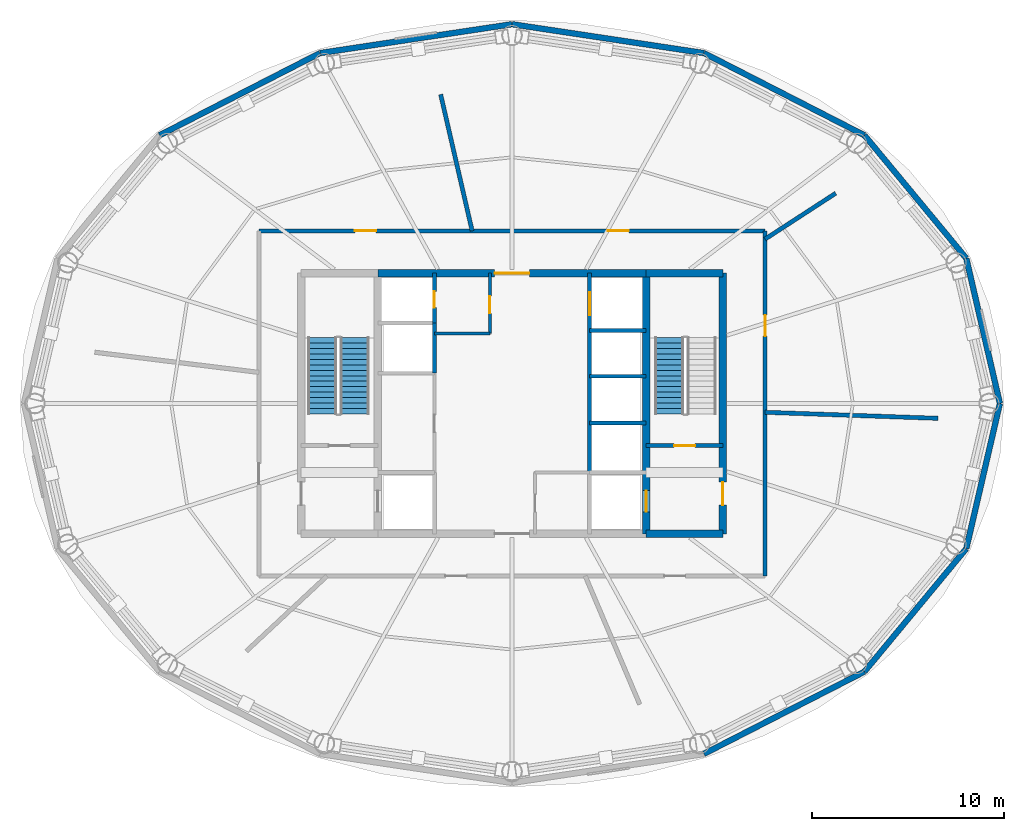
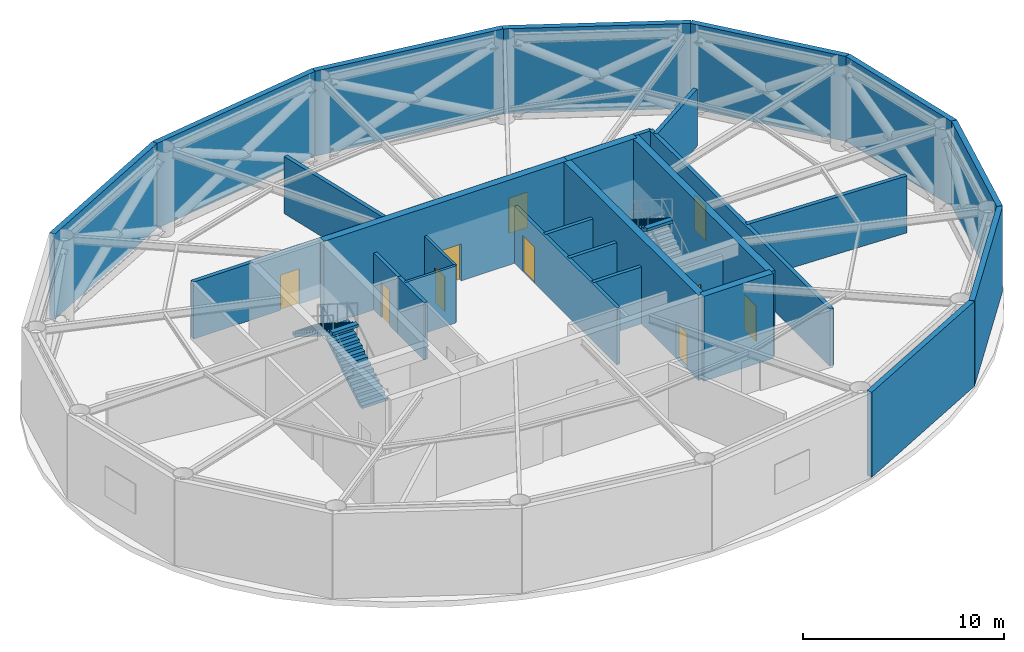
# One storey, part 5 of 7: 28 walls, 10 doors, 3 stair flights, 10 openings, 2 elements without a shape of their own.
"""IFC4 building model written with IfcOpenShell, lengths in metres."""

from ifc_helpers import new_model, si_unit, direction, frame, frame_2d, origin, place, context, subcontext, project, spatial, polyline, rectangle, outline, extrude, material, layer, layer_set, type_object, element, fill, aggregate, save


model = new_model("IFC4")

# Units and contexts
model_context = context("Model", 3, precision=1e-05, world=origin(), true_north=direction((0.0, 1.0)))
body_context = subcontext(model_context, "Body", "Model", "MODEL_VIEW")
ifc_project = project(units=[si_unit("LENGTHUNIT", "METRE"), si_unit("AREAUNIT", "SQUARE_METRE"), si_unit("VOLUMEUNIT", "CUBIC_METRE"), si_unit("PLANEANGLEUNIT", "RADIAN"), si_unit("MASSUNIT", "GRAM", prefix="KILO")], contexts=[model_context])

# Site, building, storey
site_placement = place(None, origin())
site = spatial("IfcSite", under=ifc_project, at=site_placement, CompositionType="ELEMENT")
building_placement = place(site_placement, origin())
building = spatial("IfcBuilding", under=site, at=building_placement, Name="Sarneth Arch Tower", CompositionType="ELEMENT")
storey_placement = place(building_placement, frame((0.0, 0.0, 256.800048828125)))
storey = spatial("IfcBuildingStorey", under=building, at=storey_placement, Name="L66", CompositionType="ELEMENT", Elevation=256.800048828125)

# Wall
ifc_material_1 = material(Name="Concrete C50/60", Category="concrete")
ifc_layer_1 = layer(ifc_material_1, 0.39990234375)
ifc_layer_set_1 = layer_set([ifc_layer_1], Name="Concrete C50/60")
wall_type_1 = type_object("IfcWallType", Name="WALL-CORE-400", PredefinedType="SHEAR", material=ifc_layer_set_1)
wall_1_placement = place(storey_placement, frame((55.0, 35.199951171875, 0.0), z_axis=(0.0, 0.0, 1.0), x_axis=(1.0, 0.0, 0.0)))
element("IfcWall", 1, at=wall_1_placement, inside=storey, type_object=wall_type_1, Name="L66 Core shear wall S-E", PredefinedType="SHEAR", context=body_context, shape_type="SweptSolid", body=[
    extrude(rectangle(XDim=4.0, YDim=0.39990234375, at=frame_2d((2.0, 0.0))), origin(), (0.0, 0.0, 1.0), 5.169921875),
])

# Wall, opening, door
wall_2_placement = place(storey_placement, frame((41.0, 48.800048828125, 0.0), z_axis=(0.0, 0.0, 1.0), x_axis=(1.0, 0.0, 0.0)))
wall_2 = element("IfcWall", 2, at=wall_2_placement, inside=storey, type_object=wall_type_1, Name="L66 Core shear wall N-M", PredefinedType="SHEAR", context=body_context, shape_type="SweptSolid", body=[
    extrude(rectangle(XDim=14.0, YDim=0.39990234375, at=frame_2d((7.0, 0.0))), origin(), (0.0, 0.0, 1.0), 5.169921875),
])
opening_1_placement = place(wall_2_placement, frame((6.10009765625, 0.0, 0.0)))
opening_1 = element("IfcOpeningElement", 3, at=opening_1_placement, cuts=wall_2, Name="Opening FD-01", PredefinedType="OPENING", context=body_context, shape_type="SweptSolid", body=[
    extrude(rectangle(XDim=1.800048828125, YDim=2.25, at=frame_2d((0.89990234375, 1.125))), frame((0.0, 0.2099609375, 0.0), z_axis=(0.0, -1.0, 0.0), x_axis=(1.0, 0.0, 0.0)), (0.0, 0.0, 1.0), 0.419921875),
])
ifc_material_2 = material(Name="Galvanised Steel S275 fire door set", Category="steel")
door_type_1 = type_object("IfcDoorType", Name="DR-FD90-1800", OperationType="DOUBLE_DOOR_SINGLE_SWING", PredefinedType="DOOR", material=ifc_material_2)
door_1_placement = place(opening_1_placement, origin())
door_1 = element("IfcDoor", 4, at=door_1_placement, inside=storey, type_object=door_type_1, Name="L66 Central lift lobby north door", OperationType="DOUBLE_DOOR_SINGLE_SWING", OverallHeight=2.25, OverallWidth=1.800048828125, PredefinedType="DOOR", context=body_context, shape_type="SweptSolid", body=[
    extrude(rectangle(XDim=1.800048828125, YDim=2.25, at=frame_2d((0.89990234375, 1.125))), frame((0.0, 0.02490234375, 0.0), z_axis=(0.0, -1.0, 0.0), x_axis=(1.0, 0.0, 0.0)), (0.0, 0.0, 1.0), 0.050048828125),
])
fill(opening_1, door_1)

# Wall
wall_3_placement = place(storey_placement, frame((55.0, 48.800048828125, 0.0), z_axis=(0.0, 0.0, 1.0), x_axis=(1.0, 0.0, 0.0)))
element("IfcWall", 5, at=wall_3_placement, inside=storey, type_object=wall_type_1, Name="L66 Core shear wall N-E", PredefinedType="SHEAR", context=body_context, shape_type="SweptSolid", body=[
    extrude(rectangle(XDim=4.0, YDim=0.39990234375, at=frame_2d((2.0, 0.0))), origin(), (0.0, 0.0, 1.0), 5.169921875),
])

# Wall, opening, door
wall_4_placement = place(storey_placement, frame((59.0, 35.199951171875, 0.0), z_axis=(0.0, 0.0, 1.0), x_axis=(0.0, 1.0, 0.0)))
wall_4 = element("IfcWall", 6, at=wall_4_placement, inside=storey, type_object=wall_type_1, Name="L66 Core shear wall E", PredefinedType="SHEAR", context=body_context, shape_type="SweptSolid", body=[
    extrude(rectangle(XDim=13.60009765625, YDim=0.39990234375, at=frame_2d((6.800048828125, 0.0))), origin(), (0.0, 0.0, 1.0), 5.169921875),
])
opening_2_placement = place(wall_4_placement, frame((1.5, 0.0, 0.0)))
opening_2 = element("IfcOpeningElement", 7, at=opening_2_placement, cuts=wall_4, Name="Opening FD-02", PredefinedType="OPENING", context=body_context, shape_type="SweptSolid", body=[
    extrude(rectangle(XDim=1.199951171875, YDim=2.14990234375, at=frame_2d((0.60009765625, 1.074951171875))), frame((0.0, 0.2099609375, 0.0), z_axis=(0.0, -1.0, 0.0), x_axis=(1.0, 0.0, 0.0)), (0.0, 0.0, 1.0), 0.419921875),
])
ifc_material_3 = material(Name="Galvanised Steel S275 fire door set", Category="steel")
door_type_2 = type_object("IfcDoorType", Name="DR-FD90-1200", OperationType="SINGLE_SWING_LEFT", PredefinedType="DOOR", material=ifc_material_3)
door_2_placement = place(opening_2_placement, origin())
door_2 = element("IfcDoor", 8, at=door_2_placement, inside=storey, type_object=door_type_2, Name="L66 Firefighting lobby 2 exit door", OperationType="SINGLE_SWING_RIGHT", OverallHeight=2.14990234375, OverallWidth=1.199951171875, PredefinedType="DOOR", context=body_context, shape_type="SweptSolid", body=[
    extrude(rectangle(XDim=1.199951171875, YDim=2.14990234375, at=frame_2d((0.60009765625, 1.074951171875))), frame((0.0, 0.02490234375, 0.0), z_axis=(0.0, -1.0, 0.0), x_axis=(1.0, 0.0, 0.0)), (0.0, 0.0, 1.0), 0.050048828125),
])
fill(opening_2, door_2)

wall_5_placement = place(storey_placement, frame((55.0, 35.199951171875, 0.0), z_axis=(0.0, 0.0, 1.0), x_axis=(0.0, 1.0, 0.0)))
wall_5 = element("IfcWall", 9, at=wall_5_placement, inside=storey, type_object=wall_type_1, Name="L66 Core shear wall WEB-E", PredefinedType="SHEAR", context=body_context, shape_type="SweptSolid", body=[
    extrude(rectangle(XDim=13.60009765625, YDim=0.39990234375, at=frame_2d((6.800048828125, 0.0))), origin(), (0.0, 0.0, 1.0), 5.169921875),
])
opening_3_placement = place(wall_5_placement, frame((1.14990234375, 0.0, 0.0)))
opening_3 = element("IfcOpeningElement", 10, at=opening_3_placement, cuts=wall_5, Name="Opening LD-1", PredefinedType="OPENING", context=body_context, shape_type="SweptSolid", body=[
    extrude(rectangle(XDim=1.10009765625, YDim=2.199951171875, at=frame_2d((0.550048828125, 1.10009765625))), frame((0.0, 0.2099609375, 0.0), z_axis=(0.0, -1.0, 0.0), x_axis=(1.0, 0.0, 0.0)), (0.0, 0.0, 1.0), 0.419921875),
])
ifc_material_4 = material(Name="Brushed Stainless Steel 304 lift landing door", Category="steel")
door_type_3 = type_object("IfcDoorType", Name="DR-LIFT-SLIDE-1100", OperationType="SLIDING_TO_LEFT", PredefinedType="DOOR", material=ifc_material_4)
door_3_placement = place(opening_3_placement, origin())
door_3 = element("IfcDoor", 11, at=door_3_placement, inside=storey, type_object=door_type_3, Name="L66 Firefighting lift landing door FL-2", OperationType="SLIDING_TO_RIGHT", OverallHeight=2.199951171875, OverallWidth=1.10009765625, PredefinedType="DOOR", context=body_context, shape_type="SweptSolid", body=[
    extrude(rectangle(XDim=1.10009765625, YDim=2.199951171875, at=frame_2d((0.550048828125, 1.10009765625))), frame((0.0, 0.02490234375, 0.0), z_axis=(0.0, -1.0, 0.0), x_axis=(1.0, 0.0, 0.0)), (0.0, 0.0, 1.0), 0.050048828125),
])
fill(opening_3, door_3)

# Walls
ifc_material_5 = material(Name="Extruded terracotta rainscreen on Concrete C40/50 backing", Category="masonry")
ifc_layer_2 = layer(ifc_material_5, 0.300048828125)
ifc_layer_set_2 = layer_set([ifc_layer_2], Name="Extruded terracotta rainscreen on Concrete C40/50 backing")
wall_type_2 = type_object("IfcWallType", Name="WALL-EXT-ACOUST-300", PredefinedType="SOLIDWALL", material=ifc_layer_set_2)
wall_6_placement = place(storey_placement, frame((73.447021484375, 42.0, 0.0), z_axis=(0.0, 0.0, 1.0), x_axis=(-0.225635078214, 0.974211892495, 0.0)))
element("IfcWall", 12, at=wall_6_placement, inside=storey, type_object=wall_type_2, Name="L66 Terracotta perimeter wall 01", PredefinedType="SOLIDWALL", context=body_context, shape_type="SweptSolid", body=[
    extrude(rectangle(XDim=7.77001953125, YDim=0.300048828125, at=frame_2d((3.885009765625, 0.0))), origin(), (0.0, 0.0, 1.0), 5.169921875),
])
wall_7_placement = place(storey_placement, frame((71.69384765625, 49.569580078125, 0.0), z_axis=(0.0, 0.0, 1.0), x_axis=(-0.63761509934, 0.770355103243, 0.0)))
element("IfcWall", 13, at=wall_7_placement, inside=storey, type_object=wall_type_2, Name="L66 Terracotta perimeter wall 02", PredefinedType="SOLIDWALL", context=body_context, shape_type="SweptSolid", body=[
    extrude(rectangle(XDim=8.329833984375, YDim=0.300048828125, at=frame_2d((4.1650390625, 0.0))), origin(), (0.0, 0.0, 1.0), 5.169921875),
])
wall_8_placement = place(storey_placement, frame((66.382568359375, 55.986572265625, 0.0), z_axis=(0.0, 0.0, 1.0), x_axis=(-0.890007394051, 0.455946091699, 0.0)))
element("IfcWall", 14, at=wall_8_placement, inside=storey, type_object=wall_type_2, Name="L66 Terracotta perimeter wall 03", PredefinedType="SOLIDWALL", context=body_context, shape_type="SweptSolid", body=[
    extrude(rectangle(XDim=9.404296875, YDim=0.300048828125, at=frame_2d((4.7021484375, 0.0))), origin(), (0.0, 0.0, 1.0), 5.169921875),
])
for number, where, z_axis, x_axis, name in (
    (15, (58.0126953125, 60.2744140625, 0.0), (0.0, 0.0, 1.0), (-0.988882522213, 0.148698881169, 0.0), "L66 Terracotta perimeter wall 04"),
    (16, (48.0, 61.780029296875, 0.0), (0.0, 0.0, 1.0), (-0.988882522213, -0.148698881169, 0.0), "L66 Terracotta perimeter wall 05"),
):
    element("IfcWall", number, at=place(storey_placement, frame(where, z_axis=z_axis, x_axis=x_axis)), inside=storey, type_object=wall_type_2, Name=name, PredefinedType="SOLIDWALL", context=body_context, shape_type="SweptSolid", body=[
        extrude(rectangle(XDim=10.125244140625, YDim=0.300048828125, at=frame_2d((5.0625, 0.0))), origin(), (0.0, 0.0, 1.0), 5.169921875),
    ])
for number, where, z_axis, x_axis, name in (
    (17, (37.9873046875, 60.2744140625, 0.0), (0.0, 0.0, 1.0), (-0.890007394051, -0.455946091699, 0.0), "L66 Terracotta perimeter wall 06"),
    (18, (58.0126953125, 23.7255859375, 0.0), (0.0, 0.0, 1.0), (0.890007394051, 0.455946091699, 0.0), "L66 Terracotta perimeter wall 14"),
):
    element("IfcWall", number, at=place(storey_placement, frame(where, z_axis=z_axis, x_axis=x_axis)), inside=storey, type_object=wall_type_2, Name=name, PredefinedType="SOLIDWALL", context=body_context, shape_type="SweptSolid", body=[
        extrude(rectangle(XDim=9.404296875, YDim=0.300048828125, at=frame_2d((4.7021484375, 0.0))), origin(), (0.0, 0.0, 1.0), 5.169921875),
    ])
wall_9_placement = place(storey_placement, frame((66.382568359375, 28.013427734375, 0.0), z_axis=(0.0, 0.0, 1.0), x_axis=(0.63761509934, 0.770355103243, 0.0)))
element("IfcWall", 19, at=wall_9_placement, inside=storey, type_object=wall_type_2, Name="L66 Terracotta perimeter wall 15", PredefinedType="SOLIDWALL", context=body_context, shape_type="SweptSolid", body=[
    extrude(rectangle(XDim=8.329833984375, YDim=0.300048828125, at=frame_2d((4.1650390625, 0.0))), origin(), (0.0, 0.0, 1.0), 5.169921875),
])
wall_10_placement = place(storey_placement, frame((71.69384765625, 34.430419921875, 0.0), z_axis=(0.0, 0.0, 1.0), x_axis=(0.225635078214, 0.974211892495, 0.0)))
element("IfcWall", 20, at=wall_10_placement, inside=storey, type_object=wall_type_2, Name="L66 Terracotta perimeter wall 16", PredefinedType="SOLIDWALL", context=body_context, shape_type="SweptSolid", body=[
    extrude(rectangle(XDim=7.77001953125, YDim=0.300048828125, at=frame_2d((3.885009765625, 0.0))), origin(), (0.0, 0.0, 1.0), 5.169921875),
])

# Wall, openings, doors
ifc_material_6 = material(Name="Aerated concrete blockwork C25/30", Category="masonry")
ifc_layer_3 = layer(ifc_material_6, 0.219970703125)
ifc_layer_set_3 = layer_set([ifc_layer_3], Name="Aerated concrete blockwork C25/30")
wall_type_3 = type_object("IfcWallType", Name="WALL-FIRE-220", PredefinedType="SOLIDWALL", material=ifc_layer_set_3)
wall_11_placement = place(storey_placement, frame((34.800048828125, 51.0, 0.0), z_axis=(0.0, 0.0, 1.0), x_axis=(1.0, 0.0, 0.0)))
wall_11 = element("IfcWall", 21, at=wall_11_placement, inside=storey, type_object=wall_type_3, Name="L66 Interior partition W-L66-TP-001", PredefinedType="SOLIDWALL", context=body_context, shape_type="SweptSolid", body=[
    extrude(rectangle(XDim=26.39990234375, YDim=0.219970703125, at=frame_2d((13.199951171875, 0.0))), origin(), (0.0, 0.0, 1.0), 3.469970703125),
])
opening_4_placement = place(wall_11_placement, frame((18.194580078125, 0.0, 0.0)))
opening_4 = element("IfcOpeningElement", 22, at=opening_4_placement, cuts=wall_11, Name="Opening FD-03", PredefinedType="OPENING", context=body_context, shape_type="SweptSolid", body=[
    extrude(rectangle(XDim=1.10009765625, YDim=2.14990234375, at=frame_2d((0.550048828125, 1.074951171875))), frame((0.0, 0.119873046875, 0.0), z_axis=(0.0, -1.0, 0.0), x_axis=(1.0, 0.0, 0.0)), (0.0, 0.0, 1.0), 0.239990234375),
])
opening_5_placement = place(wall_11_placement, frame((5.010986328125, 0.0, 0.0)))
opening_5 = element("IfcOpeningElement", 23, at=opening_5_placement, cuts=wall_11, Name="Opening FD-03", PredefinedType="OPENING", context=body_context, shape_type="SweptSolid", body=[
    extrude(rectangle(XDim=1.10009765625, YDim=2.14990234375, at=frame_2d((0.550048828125, 1.074951171875))), frame((0.0, 0.119873046875, 0.0), z_axis=(0.0, -1.0, 0.0), x_axis=(1.0, 0.0, 0.0)), (0.0, 0.0, 1.0), 0.239990234375),
])
ifc_material_7 = material(Name="Galvanised Steel S275 fire door set", Category="steel")
door_type_4 = type_object("IfcDoorType", Name="DR-FD90-1100", OperationType="SINGLE_SWING_LEFT", PredefinedType="DOOR", material=ifc_material_7)
door_4_placement = place(opening_4_placement, origin())
door_4 = element("IfcDoor", 24, at=door_4_placement, inside=storey, type_object=door_type_4, Name="L66 Interior door DR-L66-PSEC-1", OperationType="SINGLE_SWING_LEFT", OverallHeight=2.14990234375, OverallWidth=1.10009765625, PredefinedType="DOOR", context=body_context, shape_type="SweptSolid", body=[
    extrude(rectangle(XDim=1.10009765625, YDim=2.14990234375, at=frame_2d((0.550048828125, 1.074951171875))), frame((0.0, 0.02490234375, 0.0), z_axis=(0.0, -1.0, 0.0), x_axis=(1.0, 0.0, 0.0)), (0.0, 0.0, 1.0), 0.050048828125),
])
fill(opening_4, door_4)
door_5_placement = place(opening_5_placement, origin())
door_5 = element("IfcDoor", 25, at=door_5_placement, inside=storey, type_object=door_type_4, Name="L66 Interior door DR-L66-PSEC-2", OperationType="SINGLE_SWING_LEFT", OverallHeight=2.14990234375, OverallWidth=1.10009765625, PredefinedType="DOOR", context=body_context, shape_type="SweptSolid", body=[
    extrude(rectangle(XDim=1.10009765625, YDim=2.14990234375, at=frame_2d((0.550048828125, 1.074951171875))), frame((0.0, 0.02490234375, 0.0), z_axis=(0.0, -1.0, 0.0), x_axis=(1.0, 0.0, 0.0)), (0.0, 0.0, 1.0), 0.050048828125),
])
fill(opening_5, door_5)

# Wall, opening, door
wall_12_placement = place(storey_placement, frame((61.199951171875, 51.0, 0.0), z_axis=(0.0, 0.0, 1.0), x_axis=(0.0, -1.0, 0.0)))
wall_12 = element("IfcWall", 26, at=wall_12_placement, inside=storey, type_object=wall_type_3, Name="L66 Interior partition W-L66-TP-010", PredefinedType="SOLIDWALL", context=body_context, shape_type="SweptSolid", body=[
    extrude(rectangle(XDim=18.0, YDim=0.219970703125, at=frame_2d((9.0, 0.0))), origin(), (0.0, 0.0, 1.0), 3.469970703125),
])
opening_6_placement = place(wall_12_placement, frame((4.39111328125, 0.0, 0.0)))
opening_6 = element("IfcOpeningElement", 27, at=opening_6_placement, cuts=wall_12, Name="Opening FD-03", PredefinedType="OPENING", context=body_context, shape_type="SweptSolid", body=[
    extrude(rectangle(XDim=1.10009765625, YDim=2.14990234375, at=frame_2d((0.550048828125, 1.074951171875))), frame((0.0, 0.119873046875, 0.0), z_axis=(0.0, -1.0, 0.0), x_axis=(1.0, 0.0, 0.0)), (0.0, 0.0, 1.0), 0.239990234375),
])
door_6_placement = place(opening_6_placement, origin())
door_6 = element("IfcDoor", 28, at=door_6_placement, inside=storey, type_object=door_type_4, Name="L66 Interior door DR-L66-PSEC-6", OperationType="SINGLE_SWING_RIGHT", OverallHeight=2.14990234375, OverallWidth=1.10009765625, PredefinedType="DOOR", context=body_context, shape_type="SweptSolid", body=[
    extrude(rectangle(XDim=1.10009765625, YDim=2.14990234375, at=frame_2d((0.550048828125, 1.074951171875))), frame((0.0, 0.02490234375, 0.0), z_axis=(0.0, -1.0, 0.0), x_axis=(1.0, 0.0, 0.0)), (0.0, 0.0, 1.0), 0.050048828125),
])
fill(opening_6, door_6)

# Walls
wall_13_placement = place(storey_placement, frame((61.199951171875, 41.5390625, 0.0), z_axis=(0.0, 0.0, 1.0), x_axis=(0.999390571017, -0.034906826865, 0.0)))
element("IfcWall", 29, at=wall_13_placement, inside=storey, type_object=wall_type_3, Name="L66 Interior partition W-L66-TP-016", PredefinedType="SOLIDWALL", context=body_context, shape_type="SweptSolid", body=[
    extrude(rectangle(XDim=9.0224609375, YDim=0.219970703125, at=frame_2d((4.51123046875, 0.0))), origin(), (0.0, 0.0, 1.0), 3.469970703125),
])
wall_14_placement = place(storey_placement, frame((44.279541015625, 58.114990234375, 0.0), z_axis=(0.0, 0.0, 1.0), x_axis=(0.224944969535, -0.974371469554, 0.0)))
element("IfcWall", 30, at=wall_14_placement, inside=storey, type_object=wall_type_3, Name="L66 Interior partition W-L66-TP-011", PredefinedType="SOLIDWALL", context=body_context, shape_type="SweptSolid", body=[
    extrude(rectangle(XDim=7.30224609375, YDim=0.219970703125, at=frame_2d((3.651123046875, 0.0))), origin(), (0.0, 0.0, 1.0), 3.469970703125),
])
wall_15_placement = place(storey_placement, frame((64.884521484375, 52.965087890625, 0.0), z_axis=(0.0, 0.0, 1.0), x_axis=(-0.83866699899, -0.544644530685, 0.0)))
element("IfcWall", 31, at=wall_15_placement, inside=storey, type_object=wall_type_3, Name="L66 Interior partition W-L66-TP-012", PredefinedType="SOLIDWALL", context=body_context, shape_type="SweptSolid", body=[
    extrude(rectangle(XDim=4.393310546875, YDim=0.219970703125, at=frame_2d((2.19677734375, 0.0))), origin(), (0.0, 0.0, 1.0), 3.469970703125),
])
ifc_material_8 = material(Name="Acoustic gypsum stud partition", Category="gypsum")
ifc_layer_4 = layer(ifc_material_8, 0.14990234375)
ifc_layer_set_4 = layer_set([ifc_layer_4], Name="Acoustic gypsum stud partition")
wall_type_4 = type_object("IfcWallType", Name="WALL-PART-150", PredefinedType="PARTITIONING", material=ifc_layer_set_4)
wall_16_placement = place(storey_placement, frame((43.949951171875, 45.64990234375, 0.0), z_axis=(0.0, 0.0, 1.0), x_axis=(1.0, 0.0, 0.0)))
element("IfcWall", 32, at=wall_16_placement, inside=storey, type_object=wall_type_4, Name="L66 Interior partition W-L66-CSUP1-S", PredefinedType="PARTITIONING", context=body_context, shape_type="SweptSolid", body=[
    extrude(rectangle(XDim=2.900146484375, YDim=0.14990234375, at=frame_2d((1.4501953125, 0.0))), origin(), (0.0, 0.0, 1.0), 3.469970703125),
])

# Wall, opening, door
wall_17_placement = place(storey_placement, frame((46.85009765625, 45.64990234375, 0.0), z_axis=(0.0, 0.0, 1.0), x_axis=(0.0, 1.0, 0.0)))
wall_17 = element("IfcWall", 33, at=wall_17_placement, inside=storey, type_object=wall_type_4, Name="L66 Interior partition W-L66-CSUP1-E", PredefinedType="PARTITIONING", context=body_context, shape_type="SweptSolid", body=[
    extrude(rectangle(XDim=3.150146484375, YDim=0.14990234375, at=frame_2d((1.5751953125, 0.0))), origin(), (0.0, 0.0, 1.0), 3.469970703125),
])
opening_7_placement = place(wall_17_placement, frame((1.050048828125, 0.0, 0.0)))
opening_7 = element("IfcOpeningElement", 34, at=opening_7_placement, cuts=wall_17, Name="Opening FD-10", PredefinedType="OPENING", context=body_context, shape_type="SweptSolid", body=[
    extrude(rectangle(XDim=0.89990234375, YDim=2.14990234375, at=frame_2d((0.449951171875, 1.074951171875))), frame((0.0, 0.0849609375, 0.0), z_axis=(0.0, -1.0, 0.0), x_axis=(1.0, 0.0, 0.0)), (0.0, 0.0, 1.0), 0.169921875),
])
ifc_material_9 = material(Name="Galvanised Steel S275 riser/service fire door", Category="steel")
door_type_5 = type_object("IfcDoorType", Name="DR-FD60-900", OperationType="SINGLE_SWING_LEFT", PredefinedType="DOOR", material=ifc_material_9)
door_7_placement = place(opening_7_placement, origin())
door_7 = element("IfcDoor", 35, at=door_7_placement, inside=storey, type_object=door_type_5, Name="L66 Interior door DR-L66-CSUP1", OperationType="SINGLE_SWING_LEFT", OverallHeight=2.14990234375, OverallWidth=0.89990234375, PredefinedType="DOOR", context=body_context, shape_type="SweptSolid", body=[
    extrude(rectangle(XDim=0.89990234375, YDim=2.14990234375, at=frame_2d((0.449951171875, 1.074951171875))), frame((0.0, 0.02490234375, 0.0), z_axis=(0.0, -1.0, 0.0), x_axis=(1.0, 0.0, 0.0)), (0.0, 0.0, 1.0), 0.050048828125),
])
fill(opening_7, door_7)

ifc_material_10 = material(Name="Aerated concrete blockwork C25/30", Category="masonry")
ifc_layer_5 = layer(ifc_material_10, 0.199951171875)
ifc_layer_set_5 = layer_set([ifc_layer_5], Name="Aerated concrete blockwork C25/30")
wall_type_5 = type_object("IfcWallType", Name="WALL-SHAFT-200", PredefinedType="SOLIDWALL", material=ifc_layer_set_5)
wall_18_placement = place(storey_placement, frame((55.0, 39.800048828125, 0.0), z_axis=(0.0, 0.0, 1.0), x_axis=(1.0, 0.0, 0.0)))
wall_18 = element("IfcWall", 36, at=wall_18_placement, inside=storey, type_object=wall_type_5, Name="L66 Interior partition W-L66-ST2-S", PredefinedType="SOLIDWALL", context=body_context, shape_type="SweptSolid", body=[
    extrude(rectangle(XDim=4.0, YDim=0.199951171875, at=frame_2d((2.0, 0.0))), origin(), (0.0, 0.0, 1.0), 3.469970703125),
])
opening_8_placement = place(wall_18_placement, frame((1.449951171875, 0.0, 0.0)))
opening_8 = element("IfcOpeningElement", 37, at=opening_8_placement, cuts=wall_18, Name="Opening FD-03", PredefinedType="OPENING", context=body_context, shape_type="SweptSolid", body=[
    extrude(rectangle(XDim=1.10009765625, YDim=2.14990234375, at=frame_2d((0.550048828125, 1.074951171875))), frame((0.0, 0.10986328125, 0.0), z_axis=(0.0, -1.0, 0.0), x_axis=(1.0, 0.0, 0.0)), (0.0, 0.0, 1.0), 0.219970703125),
])
door_8_placement = place(opening_8_placement, origin())
door_8 = element("IfcDoor", 38, at=door_8_placement, inside=storey, type_object=door_type_4, Name="L66 Interior door DR-L66-ST2", OperationType="SINGLE_SWING_RIGHT", OverallHeight=2.14990234375, OverallWidth=1.10009765625, PredefinedType="DOOR", context=body_context, shape_type="SweptSolid", body=[
    extrude(rectangle(XDim=1.10009765625, YDim=2.14990234375, at=frame_2d((0.550048828125, 1.074951171875))), frame((0.0, 0.02490234375, 0.0), z_axis=(0.0, -1.0, 0.0), x_axis=(1.0, 0.0, 0.0)), (0.0, 0.0, 1.0), 0.050048828125),
])
fill(opening_8, door_8)

wall_19_placement = place(storey_placement, frame((43.949951171875, 46.199951171875, 0.0), z_axis=(0.0, 0.0, 1.0), x_axis=(0.0, 1.0, 0.0)))
wall_19 = element("IfcWall", 39, at=wall_19_placement, inside=storey, type_object=wall_type_5, Name="L66 Interior partition W-L66-RISER-E", PredefinedType="SOLIDWALL", context=body_context, shape_type="SweptSolid", body=[
    extrude(rectangle(XDim=2.60009765625, YDim=0.199951171875, at=frame_2d((1.300048828125, 0.0))), origin(), (0.0, 0.0, 1.0), 3.469970703125),
])
opening_9_placement = place(wall_19_placement, frame((0.800048828125, 0.0, 0.0)))
opening_9 = element("IfcOpeningElement", 40, at=opening_9_placement, cuts=wall_19, Name="Opening FD-11", PredefinedType="OPENING", context=body_context, shape_type="SweptSolid", body=[
    extrude(rectangle(XDim=0.85009765625, YDim=2.14990234375, at=frame_2d((0.425048828125, 1.074951171875))), frame((0.0, 0.10986328125, 0.0), z_axis=(0.0, -1.0, 0.0), x_axis=(1.0, 0.0, 0.0)), (0.0, 0.0, 1.0), 0.219970703125),
])
ifc_material_11 = material(Name="Galvanised Steel S275 closet fire door", Category="steel")
door_type_6 = type_object("IfcDoorType", Name="DR-FD60-850", OperationType="SINGLE_SWING_LEFT", PredefinedType="DOOR", material=ifc_material_11)
door_9_placement = place(opening_9_placement, origin())
door_9 = element("IfcDoor", 41, at=door_9_placement, inside=storey, type_object=door_type_6, Name="L66 Lift landing door DR-L66-RISER", OperationType="SINGLE_SWING_LEFT", OverallHeight=2.14990234375, OverallWidth=0.85009765625, PredefinedType="DOOR", context=body_context, shape_type="SweptSolid", body=[
    extrude(rectangle(XDim=0.85009765625, YDim=2.14990234375, at=frame_2d((0.425048828125, 1.074951171875))), frame((0.0, 0.02490234375, 0.0), z_axis=(0.0, -1.0, 0.0), x_axis=(1.0, 0.0, 0.0)), (0.0, 0.0, 1.0), 0.050048828125),
])
fill(opening_9, door_9)

# Wall
wall_20_placement = place(storey_placement, frame((43.949951171875, 43.580078125, 0.0), z_axis=(0.0, 0.0, 1.0), x_axis=(0.0, 1.0, 0.0)))
element("IfcWall", 42, at=wall_20_placement, inside=storey, type_object=wall_type_5, Name="L66 Interior partition W-L66-PM1-FRONT", PredefinedType="SOLIDWALL", context=body_context, shape_type="SweptSolid", body=[
    extrude(rectangle(XDim=2.619873046875, YDim=0.199951171875, at=frame_2d((1.31005859375, 0.0))), origin(), (0.0, 0.0, 1.0), 3.469970703125),
])

# Wall, opening, door
wall_21_placement = place(storey_placement, frame((52.050048828125, 38.39990234375, 0.0), z_axis=(0.0, 0.0, 1.0), x_axis=(0.0, 1.0, 0.0)))
wall_21 = element("IfcWall", 43, at=wall_21_placement, inside=storey, type_object=wall_type_5, Name="L66 Interior partition W-L66-EASTBANK-FRONT", PredefinedType="SOLIDWALL", context=body_context, shape_type="SweptSolid", body=[
    extrude(rectangle(XDim=10.400146484375, YDim=0.199951171875, at=frame_2d((5.2001953125, 0.0))), origin(), (0.0, 0.0, 1.0), 3.469970703125),
])
opening_10_placement = place(wall_21_placement, frame((8.199951171875, 0.0, 0.0)))
opening_10 = element("IfcOpeningElement", 44, at=opening_10_placement, cuts=wall_21, Name="Opening LD-2", PredefinedType="OPENING", context=body_context, shape_type="SweptSolid", body=[
    extrude(rectangle(XDim=1.199951171875, YDim=2.199951171875, at=frame_2d((0.60009765625, 1.10009765625))), frame((0.0, 0.10986328125, 0.0), z_axis=(0.0, -1.0, 0.0), x_axis=(1.0, 0.0, 0.0)), (0.0, 0.0, 1.0), 0.219970703125),
])
ifc_material_12 = material(Name="Brushed Stainless Steel 304 service lift door", Category="steel")
door_type_7 = type_object("IfcDoorType", Name="DR-LIFT-SLIDE-1200", OperationType="SLIDING_TO_RIGHT", PredefinedType="DOOR", material=ifc_material_12)
door_10_placement = place(opening_10_placement, origin())
door_10 = element("IfcDoor", 45, at=door_10_placement, inside=storey, type_object=door_type_7, Name="L66 Lift landing door DR-L66-LD-SL1", OperationType="SLIDING_TO_RIGHT", OverallHeight=2.199951171875, OverallWidth=1.199951171875, PredefinedType="DOOR", context=body_context, shape_type="SweptSolid", body=[
    extrude(rectangle(XDim=1.199951171875, YDim=2.199951171875, at=frame_2d((0.60009765625, 1.10009765625))), frame((0.0, 0.02490234375, 0.0), z_axis=(0.0, -1.0, 0.0), x_axis=(1.0, 0.0, 0.0)), (0.0, 0.0, 1.0), 0.050048828125),
])
fill(opening_10, door_10)

# Walls
for number, where, z_axis, x_axis, name in (
    (46, (52.050048828125, 40.97998046875, 0.0), (0.0, 0.0, 1.0), (1.0, 0.0, 0.0), "L66 Interior partition W-L66-EB-DIV-4098"),
    (47, (52.050048828125, 43.419921875, 0.0), (0.0, 0.0, 1.0), (1.0, 0.0, 0.0), "L66 Interior partition W-L66-EB-DIV-4342"),
    (48, (52.050048828125, 45.800048828125, 0.0), (0.0, 0.0, 1.0), (1.0, 0.0, 0.0), "L66 Interior partition W-L66-EB-DIV-4580"),
):
    element("IfcWall", number, at=place(storey_placement, frame(where, z_axis=z_axis, x_axis=x_axis)), inside=storey, type_object=wall_type_5, Name=name, PredefinedType="SOLIDWALL", context=body_context, shape_type="SweptSolid", body=[
        extrude(rectangle(XDim=2.949951171875, YDim=0.199951171875, at=frame_2d((1.47509765625, 0.0))), origin(), (0.0, 0.0, 1.0), 3.469970703125),
    ])

# Stair, stair flights
ifc_material_13 = material(Name="Concrete C50/60", Category="concrete")
stair_type = type_object("IfcStairType", Name="STAIR-CORE-RC", PredefinedType="HALF_TURN_STAIR", material=ifc_material_13)
stair_1_placement = place(storey_placement, origin())
stair_1 = element("IfcStair", 49, at=stair_1_placement, inside=storey, type_object=stair_type, Name="L66 Core Exit Stair 1", PredefinedType="HALF_TURN_STAIR")
ifc_material_14 = material(Name="Concrete C50/60", Category="concrete")
stair_flight_type = type_object("IfcStairFlightType", Name="FLIGHT-RC-1500", PredefinedType="STRAIGHT", material=ifc_material_14)
stair_flight_1_placement = place(storey_placement, frame((39.800048828125, 41.449951171875, 0.0), z_axis=(0.0, 0.0, 1.0), x_axis=(0.0, 1.0, 0.0)))
stair_flight_1 = element("IfcStairFlight", 50, at=stair_flight_1_placement, type_object=stair_flight_type, Name="ST-1 flight 1", NumberOfRisers=15, NumberOfTreads=14, PredefinedType="STRAIGHT", RiserHeight=0.18, TreadLength=0.285, context=body_context, shape_type="SweptSolid", body=[
    extrude(outline(polyline([(0.0, 0.0), (0.0, 0.179931640625), (0.284912109375, 0.179931640625), (0.284912109375, 0.360107421875), (0.570068359375, 0.360107421875), (0.570068359375, 0.5400390625), (0.85498046875, 0.5400390625), (0.85498046875, 0.719970703125), (1.139892578125, 0.719970703125), (1.139892578125, 0.89990234375), (1.425048828125, 0.89990234375), (1.425048828125, 1.080078125), (1.7099609375, 1.080078125), (1.7099609375, 1.260009765625), (1.9951171875, 1.260009765625), (1.9951171875, 1.43994140625), (2.280029296875, 1.43994140625), (2.280029296875, 1.6201171875), (2.56494140625, 1.6201171875), (2.56494140625, 1.800048828125), (2.85009765625, 1.800048828125), (2.85009765625, 1.97998046875), (3.135009765625, 1.97998046875), (3.135009765625, 2.159912109375), (3.419921875, 2.159912109375), (3.419921875, 2.340087890625), (3.705078125, 2.340087890625), (3.705078125, 2.52001953125), (3.989990234375, 2.52001953125), (3.989990234375, 2.699951171875), (3.989990234375, 2.3427734375), (0.28076171875, 0.0), (0.0, 0.0)])), frame((0.0, 0.75, 0.0), z_axis=(0.0, -1.0, 0.0), x_axis=(1.0, 0.0, 0.0)), (0.0, 0.0, 1.0), 1.5),
])
stair_flight_2_placement = place(storey_placement, frame((38.10009765625, 45.43994140625, 2.699951171875), z_axis=(0.0, 0.0, 1.0), x_axis=(0.0, -1.0, 0.0)))
stair_flight_2 = element("IfcStairFlight", 51, at=stair_flight_2_placement, type_object=stair_flight_type, Name="ST-1 flight 2", NumberOfRisers=15, NumberOfTreads=14, PredefinedType="STRAIGHT", RiserHeight=0.18, TreadLength=0.285, context=body_context, shape_type="SweptSolid", body=[
    extrude(outline(polyline([(0.0, 0.0), (0.0, 0.179931640625), (0.284912109375, 0.179931640625), (0.284912109375, 0.360107421875), (0.570068359375, 0.360107421875), (0.570068359375, 0.5400390625), (0.85498046875, 0.5400390625), (0.85498046875, 0.719970703125), (1.139892578125, 0.719970703125), (1.139892578125, 0.89990234375), (1.425048828125, 0.89990234375), (1.425048828125, 1.080078125), (1.7099609375, 1.080078125), (1.7099609375, 1.260009765625), (1.9951171875, 1.260009765625), (1.9951171875, 1.43994140625), (2.280029296875, 1.43994140625), (2.280029296875, 1.6201171875), (2.56494140625, 1.6201171875), (2.56494140625, 1.800048828125), (2.85009765625, 1.800048828125), (2.85009765625, 1.97998046875), (3.135009765625, 1.97998046875), (3.135009765625, 2.159912109375), (3.419921875, 2.159912109375), (3.419921875, 2.340087890625), (3.705078125, 2.340087890625), (3.705078125, 2.52001953125), (3.989990234375, 2.52001953125), (3.989990234375, 2.699951171875), (3.989990234375, 2.3427734375), (0.28076171875, 0.0), (0.0, 0.0)])), frame((0.0, 0.75, 0.0), z_axis=(0.0, -1.0, 0.0), x_axis=(1.0, 0.0, 0.0)), (0.0, 0.0, 1.0), 1.5),
])
aggregate(stair_1, [stair_flight_1, stair_flight_2])

# Stair, stair flight
stair_2_placement = place(storey_placement, origin())
stair_2 = element("IfcStair", 52, at=stair_2_placement, inside=storey, type_object=stair_type, Name="L66 Core Exit Stair 2", PredefinedType="HALF_TURN_STAIR")
stair_flight_3_placement = place(storey_placement, frame((56.199951171875, 45.43994140625, 2.699951171875), z_axis=(0.0, 0.0, 1.0), x_axis=(0.0, -1.0, 0.0)))
stair_flight_3 = element("IfcStairFlight", 53, at=stair_flight_3_placement, type_object=stair_flight_type, Name="ST-2 flight 2", NumberOfRisers=15, NumberOfTreads=14, PredefinedType="STRAIGHT", RiserHeight=0.18, TreadLength=0.285, context=body_context, shape_type="SweptSolid", body=[
    extrude(outline(polyline([(0.0, 0.0), (0.0, 0.179931640625), (0.284912109375, 0.179931640625), (0.284912109375, 0.360107421875), (0.570068359375, 0.360107421875), (0.570068359375, 0.5400390625), (0.85498046875, 0.5400390625), (0.85498046875, 0.719970703125), (1.139892578125, 0.719970703125), (1.139892578125, 0.89990234375), (1.425048828125, 0.89990234375), (1.425048828125, 1.080078125), (1.7099609375, 1.080078125), (1.7099609375, 1.260009765625), (1.9951171875, 1.260009765625), (1.9951171875, 1.43994140625), (2.280029296875, 1.43994140625), (2.280029296875, 1.6201171875), (2.56494140625, 1.6201171875), (2.56494140625, 1.800048828125), (2.85009765625, 1.800048828125), (2.85009765625, 1.97998046875), (3.135009765625, 1.97998046875), (3.135009765625, 2.159912109375), (3.419921875, 2.159912109375), (3.419921875, 2.340087890625), (3.705078125, 2.340087890625), (3.705078125, 2.52001953125), (3.989990234375, 2.52001953125), (3.989990234375, 2.699951171875), (3.989990234375, 2.3427734375), (0.28076171875, 0.0), (0.0, 0.0)])), frame((0.0, 0.75, 0.0), z_axis=(0.0, -1.0, 0.0), x_axis=(1.0, 0.0, 0.0)), (0.0, 0.0, 1.0), 1.5),
])
aggregate(stair_2, [stair_flight_3])

save(model, "model.ifc")
